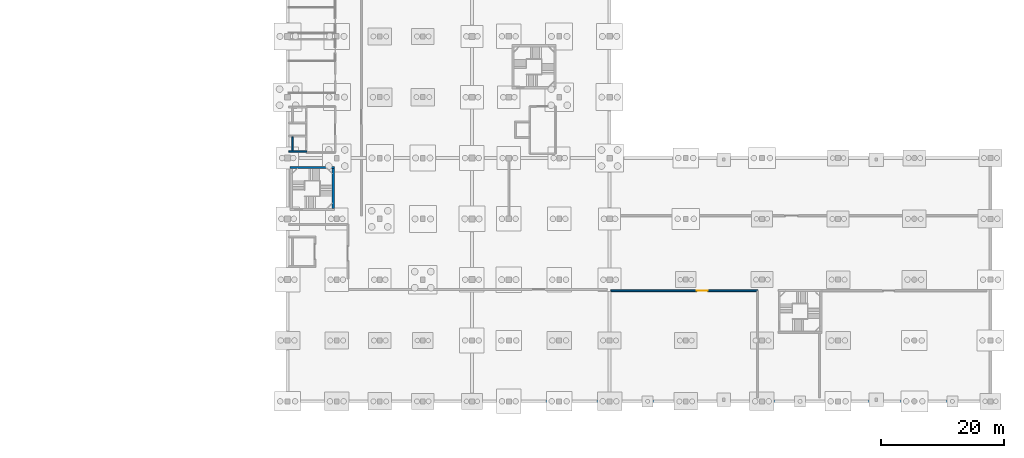
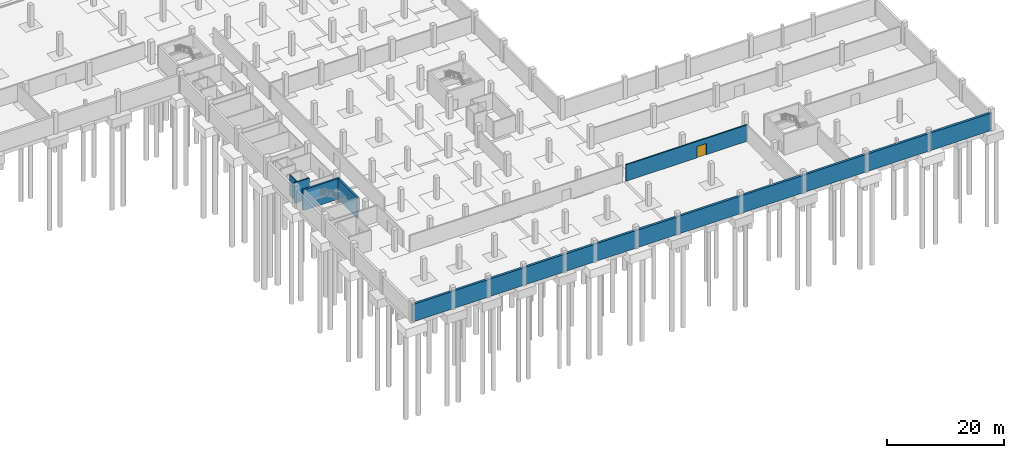
# One storey, part 13 of 30: 6 walls, 1 door, 1 opening.
"""IFC4 building model written with IfcOpenShell, lengths in metres."""

import ifcopenshell
import ifcopenshell.guid

model = None  # the IFC model being written
_history = None  # IfcOwnerHistory: only IFC2X3 demands one
_inside = {}  # id of a spatial element -> (the spatial element, [elements in it])
_under = {}  # id of a project, library or spatial element -> (it, [spatial elements below it])
_declared = {}  # id of a project -> (the project, [libraries it declares])
_typed = {}  # id of a type object -> (the type object, [elements of that type])
_made_of = {}  # id of a material, layer set ... -> (it, [elements and type objects made of it])


def new_model(schema):
    """Start an empty IFC model of exactly this schema.

    Asked for "IFC4X3", IfcOpenShell would pick the latest addendum, in which some entities
    have other attributes; the version numbers below select the first issue.
    IFC2X3 requires an IfcOwnerHistory on every rooted entity: one is made here for all.
    """
    global model, _history
    if schema == "IFC4X3":
        model = ifcopenshell.file(schema_version=(4, 3, 0, 0))
    else:
        model = ifcopenshell.file(schema=schema)
    _inside.clear()
    _under.clear()
    _declared.clear()
    _typed.clear()
    _made_of.clear()
    _history = None
    if model.schema == "IFC2X3":
        org = make("IfcOrganization", Name="unknown")
        user = make(
            "IfcPersonAndOrganization",
            ThePerson=make("IfcPerson", FamilyName="unknown"),
            TheOrganization=org,
        )
        app = make(
            "IfcApplication",
            ApplicationDeveloper=org,
            Version="unknown",
            ApplicationFullName="unknown",
            ApplicationIdentifier="unknown",
        )
        _history = make(
            "IfcOwnerHistory",
            OwningUser=user,
            OwningApplication=app,
            ChangeAction="ADDED",
            CreationDate=0,
        )
    return model


def make(cls, **values):
    """One entity of the class cls with the attributes given. An attribute that is None is left unset."""
    return model.create_entity(
        cls, **{name: value for name, value in values.items() if value is not None}
    )


def rooted(cls, **values):
    """An entity with a GlobalId (a new one), such as an element, a storey or a relation."""
    return make(cls, GlobalId=ifcopenshell.guid.new(), OwnerHistory=_history, **values)


def si_unit(unit_type, name, prefix=None):
    """IfcSIUnit, for example si_unit("LENGTHUNIT", "METRE", prefix="MILLI")."""
    return make("IfcSIUnit", UnitType=unit_type, Prefix=prefix, Name=name)


def assignment(units):
    """IfcUnitAssignment: the units of a project."""
    return None if units is None else make("IfcUnitAssignment", Units=units)


def point(xyz):
    """IfcCartesianPoint."""
    return None if xyz is None else make("IfcCartesianPoint", Coordinates=xyz)


def direction(xyz):
    """IfcDirection."""
    return None if xyz is None else make("IfcDirection", DirectionRatios=xyz)


def frame(location, z_axis=None, x_axis=None):
    """IfcAxis2Placement3D, a coordinate frame: its origin and axes. An axis left out is left unset."""
    return make(
        "IfcAxis2Placement3D",
        Location=point(location),
        Axis=direction(z_axis),
        RefDirection=direction(x_axis),
    )


def frame_2d(location, x_axis=None):
    """IfcAxis2Placement2D, a coordinate frame in the plane: its origin and x axis."""
    return make(
        "IfcAxis2Placement2D", Location=point(location), RefDirection=direction(x_axis)
    )


def origin():
    """The frame at (0, 0, 0) with its axes left unset."""
    return frame((0.0, 0.0, 0.0))


def place(relative_to, where):
    """IfcLocalPlacement: puts the frame where relative to a parent placement (None: the world)."""
    return make(
        "IfcLocalPlacement", PlacementRelTo=relative_to, RelativePlacement=where
    )


def context(
    kind, dimensions, precision=None, world=None, true_north=None, identifier=None
):
    """IfcGeometricRepresentationContext, for example the 3D "Model" context."""
    return make(
        "IfcGeometricRepresentationContext",
        ContextIdentifier=identifier,
        ContextType=kind,
        CoordinateSpaceDimension=dimensions,
        Precision=precision,
        WorldCoordinateSystem=world,
        TrueNorth=true_north,
    )


def subcontext(parent, identifier, kind, view, scale=None):
    """IfcGeometricRepresentationSubContext, for example "Body" below "Model"."""
    return make(
        "IfcGeometricRepresentationSubContext",
        ContextIdentifier=identifier,
        ContextType=kind,
        ParentContext=parent,
        TargetScale=scale,
        TargetView=view,
    )


def project(units=None, contexts=None):
    """IfcProject with its units and contexts."""
    return rooted(
        "IfcProject",
        Name="project",
        RepresentationContexts=contexts,
        UnitsInContext=assignment(units),
    )


def spatial(cls, under=None, at=None, **own):
    """A site, building, storey or space (cls), placed at a placement, below another one or the project."""
    s = rooted(cls, ObjectPlacement=at, **own)
    if under is not None:
        _under.setdefault(under.id(), (under, []))[1].append(s)
    return s


def profile(cls, at=None, kind="AREA", **sizes):
    """A parametric profile (cls). Its sizes go by their IFC names, for example OverallWidth=200.0."""
    return make(cls, ProfileType=kind, Position=at, **sizes)


def rectangle(**sizes):
    """IfcRectangleProfileDef."""
    return profile("IfcRectangleProfileDef", **sizes)


def extrude(swept, where, along, depth):
    """IfcExtrudedAreaSolid: the profile swept, set in the frame where, extruded along a direction by depth."""
    return make(
        "IfcExtrudedAreaSolid",
        SweptArea=swept,
        Position=where,
        ExtrudedDirection=direction(along),
        Depth=depth,
    )


def shape(context_of_items, identifier, shape_type, items):
    """IfcShapeRepresentation: the items that make up one representation, for example the "Body"."""
    return make(
        "IfcShapeRepresentation",
        ContextOfItems=context_of_items,
        RepresentationIdentifier=identifier,
        RepresentationType=shape_type,
        Items=items,
    )


def material(Name=None, Category=None):
    """IfcMaterial."""
    return make("IfcMaterial", Name=Name, Category=Category)


def layer(
    of_material, thickness, ventilated=None, Name=None, Category=None, Priority=None
):
    """IfcMaterialLayer: one layer of a wall or slab, of a material (None: an air gap)."""
    return make(
        "IfcMaterialLayer",
        Material=of_material,
        LayerThickness=thickness,
        IsVentilated=ventilated,
        Name=Name,
        Category=Category,
        Priority=Priority,
    )


def layer_set(layers, Name=None):
    """IfcMaterialLayerSet."""
    return make("IfcMaterialLayerSet", MaterialLayers=layers, LayerSetName=Name)


def made_of(thing, what):
    """Note that an element or type object is made of a material, layer set ...; save() writes the relation."""
    if what is not None:
        _made_of.setdefault(what.id(), (what, []))[1].append(thing)
    return thing


def type_object(cls, material=None, **own):
    """A type object (cls), such as IfcWallType, which elements share."""
    return made_of(rooted(cls, **own), material)


def element(
    cls,
    number,
    at=None,
    inside=None,
    cuts=None,
    type_object=None,
    material=None,
    context=None,
    identifier="Body",
    shape_type=None,
    held_by="IfcProductDefinitionShape",
    body=None,
    shapes=None,
    **own,
):
    """One element of the class cls, such as IfcWall. Its Tag is "e" and its number.

    at: its placement. inside: the storey or other place that contains it. cuts: it is an
    opening in that element (IfcRelVoidsElement). A single representation is given by context,
    identifier, shape_type and body (its items); several are given by shapes. held_by: the class
    of the entity that holds the representations. save() writes the other relations.
    """
    e = rooted(cls, Tag="e%d" % number, ObjectPlacement=at, **own)
    if body is not None:
        shapes = [shape(context, identifier, shape_type, body)]
    if shapes is not None:
        e.Representation = make(held_by, Representations=shapes)
    if inside is not None:
        _inside.setdefault(inside.id(), (inside, []))[1].append(e)
    if cuts is not None:
        rooted(
            "IfcRelVoidsElement", RelatingBuildingElement=cuts, RelatedOpeningElement=e
        )
    if type_object is not None:
        _typed.setdefault(type_object.id(), (type_object, []))[1].append(e)
    return made_of(e, material)


def fill(opening, filler):
    """IfcRelFillsElement: the door or window that sits in an opening."""
    return rooted(
        "IfcRelFillsElement",
        RelatingOpeningElement=opening,
        RelatedBuildingElement=filler,
    )


def aggregate(whole, parts):
    """IfcRelAggregates: a whole, such as a stair, and the parts it consists of."""
    return rooted("IfcRelAggregates", RelatingObject=whole, RelatedObjects=parts)


def save(model, path):
    """Write the relations noted so far, then the file.

    IfcRelAggregates (storeys below a building ...), IfcRelContainedInSpatialStructure (elements
    in a storey), IfcRelDefinesByType, IfcRelAssociatesMaterial and IfcRelDeclares: one each for
    every whole, place, type object, material and project.
    """
    for whole, parts in _under.values():
        aggregate(whole, parts)
    for where, things in _inside.values():
        rooted(
            "IfcRelContainedInSpatialStructure",
            RelatedElements=things,
            RelatingStructure=where,
        )
    for kind, things in _typed.values():
        rooted("IfcRelDefinesByType", RelatedObjects=things, RelatingType=kind)
    for what, things in _made_of.values():
        rooted("IfcRelAssociatesMaterial", RelatedObjects=things, RelatingMaterial=what)
    for by, libraries in _declared.values():
        rooted("IfcRelDeclares", RelatingContext=by, RelatedDefinitions=libraries)
    model.write(path)


model = new_model("IFC4")

# Units and contexts
model_context = context("Model", 3, precision=1e-05, world=origin(), true_north=direction((0.0, 1.0)))
body_context = subcontext(model_context, "Body", "Model", "MODEL_VIEW")
ifc_project = project(units=[si_unit("LENGTHUNIT", "METRE"), si_unit("AREAUNIT", "SQUARE_METRE"), si_unit("VOLUMEUNIT", "CUBIC_METRE"), si_unit("PLANEANGLEUNIT", "RADIAN"), si_unit("MASSUNIT", "GRAM", prefix="KILO")], contexts=[model_context])

# Site, building, storey
site_placement = place(None, origin())
site = spatial("IfcSite", under=ifc_project, at=site_placement, CompositionType="ELEMENT")
building_placement = place(site_placement, origin())
building = spatial("IfcBuilding", under=site, at=building_placement, Name="Sillaruma Civic Art Gallery", CompositionType="ELEMENT")
storey_placement = place(building_placement, frame((0.0, 0.0, -9.179931640625)))
storey = spatial("IfcBuildingStorey", under=building, at=storey_placement, Name="B02", CompositionType="ELEMENT", Elevation=-9.179931640625)

# Walls
ifc_material_1 = material(Name="Concrete H40 (40 MPa)", Category="concrete")
ifc_layer_1 = layer(ifc_material_1, 0.35009765625, Name="Concrete H40 (40 MPa)")
ifc_layer_set_1 = layer_set([ifc_layer_1], Name="Concrete H40 (40 MPa)")
wall_type_1 = type_object("IfcWallType", Name="WAL-CORE-350", PredefinedType="SHEAR", material=ifc_layer_set_1)
wall_1_placement = place(storey_placement, frame((62.409912109375, 38.06494140625, 0.0), z_axis=(0.0, 0.0, 1.0), x_axis=(1.0, 0.0, 0.0)))
element("IfcWall", 1, at=wall_1_placement, inside=storey, type_object=wall_type_1, Name="Stair Core Shear Wall W-CORE-350 (ST-03:B02:N)", PredefinedType="SHEAR", context=body_context, shape_type="SweptSolid", body=[
    extrude(rectangle(XDim=7.18017578125, YDim=0.35009765625, at=frame_2d((3.590087890625, 0.0))), origin(), (0.0, 0.0, 1.0), 4.309814453125),
])
wall_2_placement = place(storey_placement, frame((69.4150390625, 31.409912109375, 0.0), z_axis=(0.0, 0.0, 1.0), x_axis=(0.0, 1.0, 0.0)))
element("IfcWall", 2, at=wall_2_placement, inside=storey, type_object=wall_type_1, Name="Stair Core Shear Wall W-CORE-350 (ST-03:B02:E)", PredefinedType="SHEAR", context=body_context, shape_type="SweptSolid", body=[
    extrude(rectangle(XDim=6.47998046875, YDim=0.35009765625, at=frame_2d((3.239990234375, 0.0))), origin(), (0.0, 0.0, 1.0), 4.309814453125),
])
ifc_layer_2 = layer(ifc_material_1, 0.43994140625, Name="Concrete H40 (40 MPa)")
ifc_layer_set_2 = layer_set([ifc_layer_2], Name="Concrete H40 (40 MPa)")
wall_type_2 = type_object("IfcWallType", Name="WAL-RET-440", PredefinedType="USERDEFINED", material=ifc_layer_set_2)
wall_3_placement = place(storey_placement, frame((62.0, 0.0, 0.0), z_axis=(0.0, 0.0, 1.0), x_axis=(1.0, 0.0, 0.0)))
element("IfcWall", 3, at=wall_3_placement, inside=storey, type_object=wall_type_2, Name="Exterior Wall W-RET-440 (RET-B02-01)", ObjectType="RETAININGWALL", PredefinedType="USERDEFINED", context=body_context, shape_type="SweptSolid", body=[
    extrude(rectangle(XDim=114.39990234375, YDim=0.43994140625, at=frame_2d((57.199951171875, 0.0))), origin(), (0.0, 0.0, 1.0), 3.659912109375),
])
ifc_layer_3 = layer(ifc_material_1, 0.25, Name="Concrete H40 (40 MPa)")
ifc_layer_set_3 = layer_set([ifc_layer_3], Name="Concrete H40 (40 MPa)")
wall_type_3 = type_object("IfcWallType", Name="WAL-SHAFT-250", PredefinedType="SOLIDWALL", material=ifc_layer_set_3)
wall_4_placement = place(storey_placement, frame((62.219970703125, 40.625, 0.0), z_axis=(0.0, 0.0, 1.0), x_axis=(1.0, 0.0, 0.0)))
element("IfcWall", 4, at=wall_4_placement, inside=storey, type_object=wall_type_3, Name="Lift Shaft Wall W-SHAFT-250 (PL-01:B02:S)", PredefinedType="SOLIDWALL", context=body_context, shape_type="SweptSolid", body=[
    extrude(rectangle(XDim=2.929931640625, YDim=0.25, at=frame_2d((1.46484375, 0.0))), origin(), (0.0, 0.0, 1.0), 4.2900390625),
])
wall_5_placement = place(storey_placement, frame((62.77490234375, 40.75, 0.0), z_axis=(0.0, 0.0, 1.0), x_axis=(0.0, 1.0, 0.0)))
element("IfcWall", 5, at=wall_5_placement, inside=storey, type_object=wall_type_3, Name="Lift Shaft Wall W-SHAFT-250 (PL-01:B02:W)", PredefinedType="SOLIDWALL", context=body_context, shape_type="SweptSolid", body=[
    extrude(rectangle(XDim=2.300048828125, YDim=0.25, at=frame_2d((1.14990234375, 0.0))), origin(), (0.0, 0.0, 1.0), 4.2900390625),
])

# Wall, opening, door
ifc_material_2 = material(Name="Concrete Masonry Unit Grade M15", Category="masonry")
ifc_layer_4 = layer(ifc_material_2, 0.2548828125, Name="Concrete Masonry Unit Grade M15")
ifc_layer_set_4 = layer_set([ifc_layer_4], Name="Concrete Masonry Unit Grade M15")
wall_type_4 = type_object("IfcWallType", Name="WAL-STORE-250", PredefinedType="SOLIDWALL", material=ifc_layer_set_4)
wall_6_placement = place(storey_placement, frame((114.60009765625, 18.0, 0.0), z_axis=(0.0, 0.0, 1.0), x_axis=(1.0, 0.0, 0.0)))
wall_6 = element("IfcWall", 6, at=wall_6_placement, inside=storey, type_object=wall_type_4, Name="Interior Wall W-STORE-250 (B02-STRE2)", PredefinedType="SOLIDWALL", context=body_context, shape_type="SweptSolid", body=[
    extrude(rectangle(XDim=23.89990234375, YDim=0.2548828125, at=frame_2d((11.949951171875, 0.0))), origin(), (0.0, 0.0, 1.0), 3.429931640625),
])
opening_placement = place(wall_6_placement, frame((14.0, 0.0, 0.0)))
opening = element("IfcOpeningElement", 7, at=opening_placement, cuts=wall_6, Name="Opening D-STR18", PredefinedType="OPENING", context=body_context, shape_type="SweptSolid", body=[
    extrude(rectangle(XDim=1.800048828125, YDim=2.35009765625, at=frame_2d((0.89990234375, 1.175048828125))), frame((0.0, 0.137451171875, 0.0), z_axis=(0.0, -1.0, 0.0), x_axis=(1.0, 0.0, 0.0)), (0.0, 0.0, 1.0), 0.27490234375),
])
ifc_material_3 = material(Name="Galvanised Steel ASTM A653 Gr.50", Category="steel")
door_type = type_object("IfcDoorType", Name="DOR-STORE-180", OperationType="NOTDEFINED", PredefinedType="DOOR", material=ifc_material_3)
door_placement = place(opening_placement, origin())
door = element("IfcDoor", 8, at=door_placement, inside=storey, type_object=door_type, Name="Cold Textile Art Store Door (D-STR18)", OperationType="DOUBLE_DOOR_SINGLE_SWING", OverallHeight=2.35009765625, OverallWidth=1.800048828125, PredefinedType="DOOR", context=body_context, shape_type="SweptSolid", body=[
    extrude(rectangle(XDim=1.800048828125, YDim=2.35009765625, at=frame_2d((0.89990234375, 1.175048828125))), frame((0.0, 0.02490234375, 0.0), z_axis=(0.0, -1.0, 0.0), x_axis=(1.0, 0.0, 0.0)), (0.0, 0.0, 1.0), 0.050048828125),
])
fill(opening, door)

save(model, "model.ifc")
